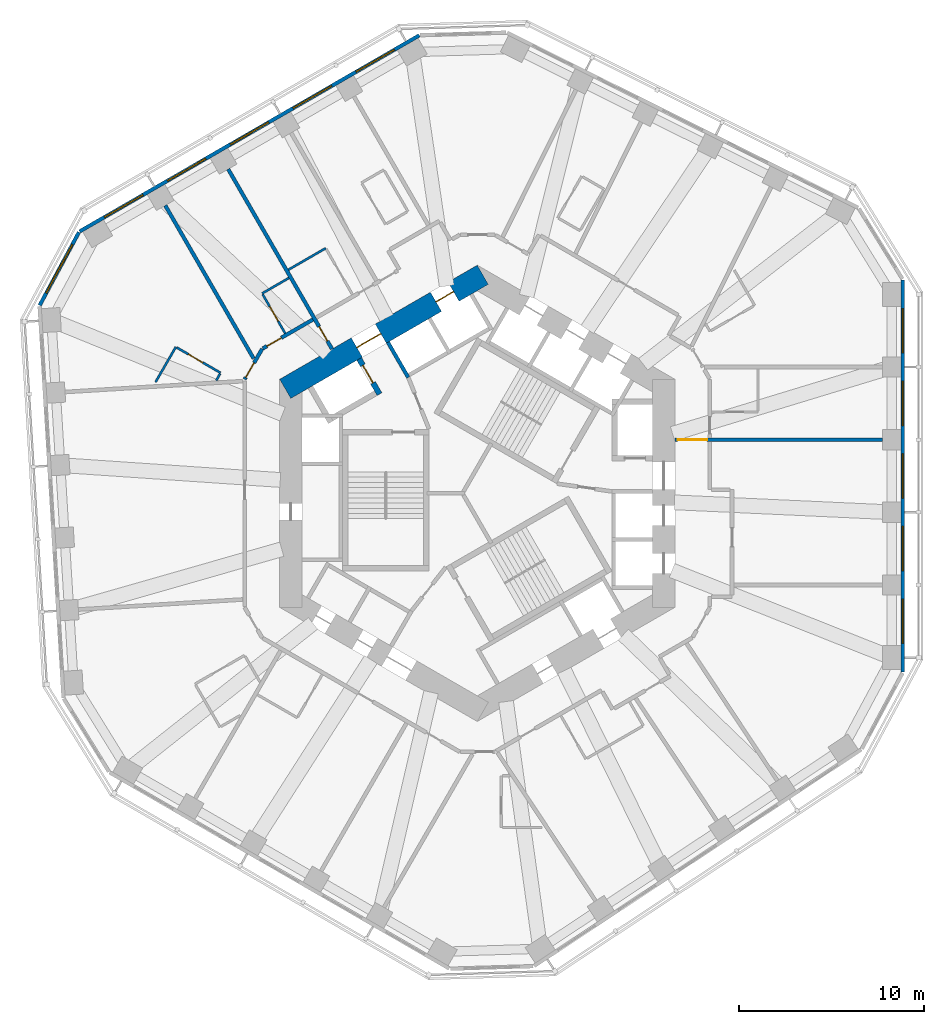
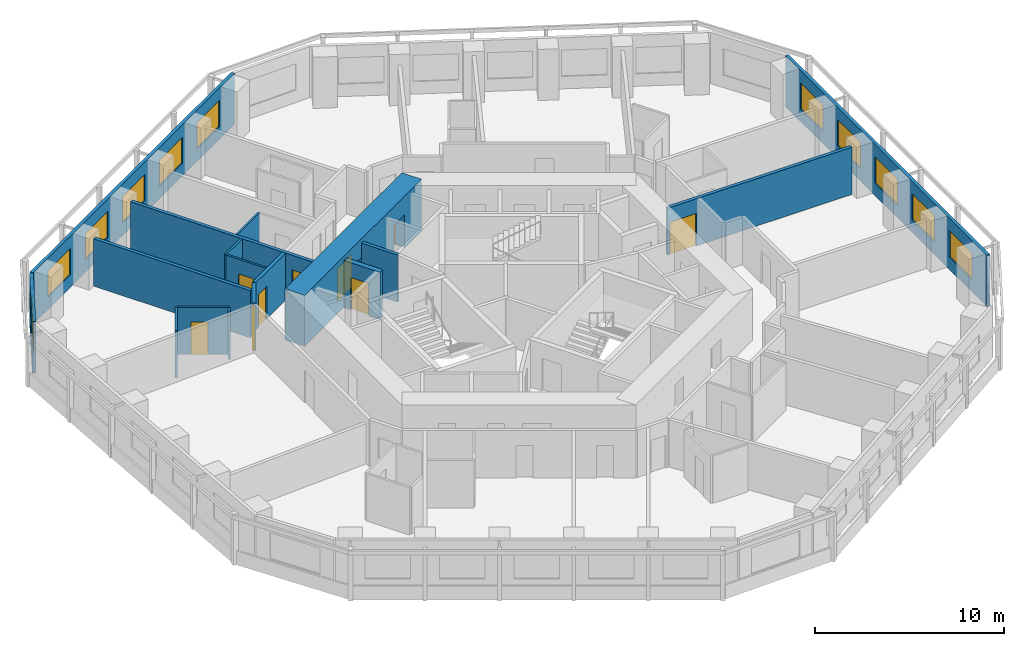
# One storey, part 7 of 12: 17 walls, 11 windows, 9 doors, 20 openings.
"""IFC4 building model written with IfcOpenShell, lengths in metres."""

from ifc_helpers import new_model, si_unit, direction, frame, frame_2d, origin, place, context, subcontext, project, spatial, rectangle, extrude, material, layer, layer_set, type_object, element, fill, save


model = new_model("IFC4")

# Units and contexts
model_context = context("Model", 3, precision=1e-05, world=origin(), true_north=direction((0.0, 1.0)))
body_context = subcontext(model_context, "Body", "Model", "MODEL_VIEW")
ifc_project = project(units=[si_unit("LENGTHUNIT", "METRE"), si_unit("AREAUNIT", "SQUARE_METRE"), si_unit("VOLUMEUNIT", "CUBIC_METRE"), si_unit("PLANEANGLEUNIT", "RADIAN"), si_unit("MASSUNIT", "GRAM", prefix="KILO")], contexts=[model_context])

# Site, building, storey
site_placement = place(None, origin())
site = spatial("IfcSite", under=ifc_project, at=site_placement, CompositionType="ELEMENT")
building_placement = place(site_placement, origin())
building = spatial("IfcBuilding", under=site, at=building_placement, Name="Vanh Sen Convention Tower", CompositionType="ELEMENT")
storey_placement = place(building_placement, frame((0.0, 0.0, 110.0)))
storey = spatial("IfcBuildingStorey", under=building, at=storey_placement, Name="L26", CompositionType="ELEMENT", Elevation=110.0)

# Wall
ifc_material_1 = material(Name="Moisture-resistant gypsum board on steel studs", Category="steel")
ifc_layer_1 = layer(ifc_material_1, 0.1201171875)
ifc_layer_set_1 = layer_set([ifc_layer_1], Name="Moisture-resistant gypsum board on steel studs")
wall_type_1 = type_object("IfcWallType", Name="Bathroom partition 120", PredefinedType="PARTITIONING", material=ifc_layer_set_1)
wall_1_placement = place(storey_placement, frame((-17.42578125, 6.019287109375, 0.0), z_axis=(0.0, 0.0, 1.0), x_axis=(0.50002983664, 0.866008176907, 0.0)))
element("IfcWall", 1, at=wall_1_placement, inside=storey, type_object=wall_type_1, Name="Bathroom partition 120", PredefinedType="PARTITIONING", context=body_context, shape_type="SweptSolid", body=[
    extrude(rectangle(XDim=2.199951171875, YDim=0.1201171875, at=frame_2d((1.10009765625, 0.0))), origin(), (0.0, 0.0, 1.0), 3.050048828125),
])

# Wall, opening, door
wall_2_placement = place(storey_placement, frame((-16.273681640625, 7.89453125, 0.0), z_axis=(0.0, 0.0, 1.0), x_axis=(0.865997131366, -0.500048966069, 0.0)))
wall_2 = element("IfcWall", 2, at=wall_2_placement, inside=storey, type_object=wall_type_1, Name="Bathroom partition 120", PredefinedType="PARTITIONING", context=body_context, shape_type="SweptSolid", body=[
    extrude(rectangle(XDim=2.739990234375, YDim=0.1201171875, at=frame_2d((1.3701171875, 0.0))), origin(), (0.0, 0.0, 1.0), 3.050048828125),
])
opening_1_placement = place(wall_2_placement, frame((0.719970703125, 0.0, 0.0)))
opening_1 = element("IfcOpeningElement", 3, at=opening_1_placement, cuts=wall_2, Name="Opening D25117", PredefinedType="OPENING", context=body_context, shape_type="SweptSolid", body=[
    extrude(rectangle(XDim=0.89990234375, YDim=2.10009765625, at=frame_2d((0.449951171875, 1.050048828125))), frame((0.0, 0.070068359375, 0.0), z_axis=(0.0, -1.0, 0.0), x_axis=(1.0, 0.0, 0.0)), (0.0, 0.0, 1.0), 0.14013671875),
])
ifc_material_2 = material(Name="Laminate door in steel frame", Category="steel")
door_type_1 = type_object("IfcDoorType", Name="En-suite door 900", OperationType="SINGLE_SWING_LEFT", PredefinedType="DOOR", material=ifc_material_2)
door_1_placement = place(opening_1_placement, origin())
door_1 = element("IfcDoor", 4, at=door_1_placement, inside=storey, type_object=door_type_1, Name="En-suite door D25117", OperationType="SINGLE_SWING_LEFT", OverallHeight=2.10009765625, OverallWidth=0.89990234375, PredefinedType="DOOR", context=body_context, shape_type="SweptSolid", body=[
    extrude(rectangle(XDim=0.89990234375, YDim=2.10009765625, at=frame_2d((0.449951171875, 1.050048828125))), frame((0.0, 0.02490234375, 0.0), z_axis=(0.0, -1.0, 0.0), x_axis=(1.0, 0.0, 0.0)), (0.0, 0.0, 1.0), 0.050048828125),
])
fill(opening_1, door_1)

# Walls
wall_3_placement = place(storey_placement, frame((-13.930908203125, 6.472412109375, 0.0), z_axis=(0.0, 0.0, 1.0), x_axis=(-0.499739399214, -0.866175809448, 0.0)))
element("IfcWall", 5, at=wall_3_placement, inside=storey, type_object=wall_type_1, Name="Bathroom partition 120", PredefinedType="PARTITIONING", context=body_context, shape_type="SweptSolid", body=[
    extrude(rectangle(XDim=0.415771484375, YDim=0.1201171875, at=frame_2d((0.2080078125, 0.0))), origin(), (0.0, 0.0, 1.0), 3.050048828125),
])
wall_4_placement = place(storey_placement, frame((-11.65087890625, 10.82470703125, 0.0), z_axis=(0.0, 0.0, 1.0), x_axis=(0.865998477143, 0.500046635412, 0.0)))
element("IfcWall", 6, at=wall_4_placement, inside=storey, type_object=wall_type_1, Name="Bathroom partition 120", PredefinedType="PARTITIONING", context=body_context, shape_type="SweptSolid", body=[
    extrude(rectangle(XDim=1.673095703125, YDim=0.1201171875, at=frame_2d((0.83642578125, 0.0))), origin(), (0.0, 0.0, 1.0), 3.050048828125),
])

# Wall, opening, door
wall_5_placement = place(storey_placement, frame((-10.40087890625, 8.65966796875, 0.0), z_axis=(0.0, 0.0, 1.0), x_axis=(-0.500077547548, 0.865980627057, 0.0)))
wall_5 = element("IfcWall", 7, at=wall_5_placement, inside=storey, type_object=wall_type_1, Name="Bathroom partition 120", PredefinedType="PARTITIONING", context=body_context, shape_type="SweptSolid", body=[
    extrude(rectangle(XDim=2.43994140625, YDim=0.1201171875, at=frame_2d((1.219970703125, 0.0))), origin(), (0.0, 0.0, 1.0), 3.050048828125),
])
opening_2_placement = place(wall_5_placement, frame((0.77001953125, 0.0, 0.0)))
opening_2 = element("IfcOpeningElement", 8, at=opening_2_placement, cuts=wall_5, Name="Opening D25115", PredefinedType="OPENING", context=body_context, shape_type="SweptSolid", body=[
    extrude(rectangle(XDim=0.89990234375, YDim=2.10009765625, at=frame_2d((0.449951171875, 1.050048828125))), frame((0.0, 0.070068359375, 0.0), z_axis=(0.0, -1.0, 0.0), x_axis=(1.0, 0.0, 0.0)), (0.0, 0.0, 1.0), 0.14013671875),
])
door_2_placement = place(opening_2_placement, origin())
door_2 = element("IfcDoor", 9, at=door_2_placement, inside=storey, type_object=door_type_1, Name="En-suite door D25115", OperationType="SINGLE_SWING_LEFT", OverallHeight=2.10009765625, OverallWidth=0.89990234375, PredefinedType="DOOR", context=body_context, shape_type="SweptSolid", body=[
    extrude(rectangle(XDim=0.89990234375, YDim=2.10009765625, at=frame_2d((0.449951171875, 1.050048828125))), frame((0.0, 0.02490234375, 0.0), z_axis=(0.0, -1.0, 0.0), x_axis=(1.0, 0.0, 0.0)), (0.0, 0.0, 1.0), 0.050048828125),
])
fill(opening_2, door_2)

# Wall
wall_6_placement = place(storey_placement, frame((-10.228759765625, 12.107666015625, 0.0), z_axis=(0.0, 0.0, 1.0), x_axis=(0.866053246676, 0.499951771596, 0.0)))
element("IfcWall", 10, at=wall_6_placement, inside=storey, type_object=wall_type_1, Name="Bathroom partition 120", PredefinedType="PARTITIONING", context=body_context, shape_type="SweptSolid", body=[
    extrude(rectangle(XDim=2.334716796875, YDim=0.1201171875, at=frame_2d((1.16748046875, 0.0))), origin(), (0.0, 0.0, 1.0), 3.050048828125),
])

# Wall, openings, doors
ifc_material_3 = material(Name="Concrete C80/95", Category="concrete")
ifc_layer_2 = layer(ifc_material_3, 1.199951171875)
ifc_layer_set_2 = layer_set([ifc_layer_2], Name="Concrete C80/95")
wall_type_2 = type_object("IfcWallType", Name="Core outer wall 1200 C80/95", PredefinedType="SHEAR", material=ifc_layer_set_2)
wall_7_placement = place(storey_placement, frame((0.300048828125, 11.835693359375, 0.0), z_axis=(0.0, 0.0, 1.0), x_axis=(-0.866021384402, -0.500006961711, 0.0)))
wall_7 = element("IfcWall", 11, at=wall_7_placement, inside=storey, type_object=wall_type_2, Name="Core wall face NW L26", PredefinedType="SHEAR", context=body_context, shape_type="SweptSolid", body=[
    extrude(rectangle(XDim=12.355224609375, YDim=1.199951171875, at=frame_2d((6.177734375, 0.0))), origin(), (0.0, 0.0, 1.0), 3.300048828125),
])
opening_3_placement = place(wall_7_placement, frame((6.377685546875, 0.0, 0.0)))
opening_3 = element("IfcOpeningElement", 12, at=opening_3_placement, cuts=wall_7, Name="Opening D25002", PredefinedType="OPENING", context=body_context, shape_type="SweptSolid", body=[
    extrude(rectangle(XDim=1.5, YDim=2.10009765625, at=frame_2d((0.75, 1.050048828125))), frame((0.0, 0.60986328125, 0.0), z_axis=(0.0, -1.0, 0.0), x_axis=(1.0, 0.0, 0.0)), (0.0, 0.0, 1.0), 1.219970703125),
])
opening_4_placement = place(wall_7_placement, frame((1.82763671875, 0.0, 0.0)))
opening_4 = element("IfcOpeningElement", 13, at=opening_4_placement, cuts=wall_7, Name="Opening LD-LR6", PredefinedType="OPENING", context=body_context, shape_type="SweptSolid", body=[
    extrude(rectangle(XDim=1.10009765625, YDim=2.10009765625, at=frame_2d((0.550048828125, 1.050048828125))), frame((0.0, 0.60986328125, 0.0), z_axis=(0.0, -1.0, 0.0), x_axis=(1.0, 0.0, 0.0)), (0.0, 0.0, 1.0), 1.219970703125),
])
ifc_material_4 = material(Name="Stainless steel", Category="steel")
door_type_2 = type_object("IfcDoorType", Name="Lift landing door 1100", OperationType="DOUBLE_DOOR_SLIDING", PredefinedType="DOOR", material=ifc_material_4)
door_3_placement = place(opening_4_placement, origin())
door_3 = element("IfcDoor", 14, at=door_3_placement, inside=storey, type_object=door_type_2, Name="Lift LR6 landing door LD-LR6", OperationType="DOUBLE_DOOR_SLIDING", OverallHeight=2.10009765625, OverallWidth=1.10009765625, PredefinedType="DOOR", context=body_context, shape_type="SweptSolid", body=[
    extrude(rectangle(XDim=1.10009765625, YDim=2.10009765625, at=frame_2d((0.550048828125, 1.050048828125))), frame((0.0, 0.02490234375, 0.0), z_axis=(0.0, -1.0, 0.0), x_axis=(1.0, 0.0, 0.0)), (0.0, 0.0, 1.0), 0.050048828125),
])
fill(opening_4, door_3)
ifc_material_5 = material(Name="Steel S355", Category="steel")
door_type_3 = type_object("IfcDoorType", Name="Stair lobby door 1500", OperationType="DOUBLE_DOOR_SINGLE_SWING", PredefinedType="DOOR", material=ifc_material_5)
door_4_placement = place(opening_3_placement, origin())
door_4 = element("IfcDoor", 15, at=door_4_placement, inside=storey, type_object=door_type_3, Name="Stair lobby door D25002", OperationType="DOUBLE_DOOR_SINGLE_SWING", OverallHeight=2.10009765625, OverallWidth=1.5, PredefinedType="DOOR", context=body_context, shape_type="SweptSolid", body=[
    extrude(rectangle(XDim=1.5, YDim=2.10009765625, at=frame_2d((0.75, 1.050048828125))), frame((0.0, 0.02490234375, 0.0), z_axis=(0.0, -1.0, 0.0), x_axis=(1.0, 0.0, 0.0)), (0.0, 0.0, 1.0), 0.050048828125),
])
fill(opening_3, door_4)

# Wall, opening, door
ifc_material_6 = material(Name="Gypsum board on steel studs with mineral wool", Category="steel")
ifc_layer_3 = layer(ifc_material_6, 0.199951171875)
ifc_layer_set_3 = layer_set([ifc_layer_3], Name="Gypsum board on steel studs with mineral wool")
wall_type_3 = type_object("IfcWallType", Name="Corridor partition wall 200", PredefinedType="PARTITIONING", material=ifc_layer_set_3)
wall_8_placement = place(storey_placement, frame((-11.64990234375, 7.822998046875, 0.0), z_axis=(0.0, 0.0, 1.0), x_axis=(-0.500063520245, -0.865988727248, 0.0)))
wall_8 = element("IfcWall", 16, at=wall_8_placement, inside=storey, type_object=wall_type_3, Name="Corridor partition wall 200", PredefinedType="PARTITIONING", context=body_context, shape_type="SweptSolid", body=[
    extrude(rectangle(XDim=1.900146484375, YDim=0.199951171875, at=frame_2d((0.9501953125, 0.0))), origin(), (0.0, 0.0, 1.0), 3.050048828125),
])
opening_5_placement = place(wall_8_placement, frame((0.8818359375, 0.0, 0.0)))
opening_5 = element("IfcOpeningElement", 17, at=opening_5_placement, cuts=wall_8, Name="Opening D25116", PredefinedType="OPENING", context=body_context, shape_type="SweptSolid", body=[
    extrude(rectangle(XDim=0.89990234375, YDim=2.10009765625, at=frame_2d((0.449951171875, 1.050048828125))), frame((0.0, 0.10986328125, 0.0), z_axis=(0.0, -1.0, 0.0), x_axis=(1.0, 0.0, 0.0)), (0.0, 0.0, 1.0), 0.219970703125),
])
ifc_material_7 = material(Name="Timber fire door in steel frame", Category="steel")
door_type_4 = type_object("IfcDoorType", Name="Guest room door 900", OperationType="SINGLE_SWING_LEFT", PredefinedType="DOOR", material=ifc_material_7)
door_5_placement = place(opening_5_placement, origin())
door_5 = element("IfcDoor", 18, at=door_5_placement, inside=storey, type_object=door_type_4, Name="Hotel guest room door D25116", OperationType="SINGLE_SWING_LEFT", OverallHeight=2.10009765625, OverallWidth=0.89990234375, PredefinedType="DOOR", context=body_context, shape_type="SweptSolid", body=[
    extrude(rectangle(XDim=0.89990234375, YDim=2.10009765625, at=frame_2d((0.449951171875, 1.050048828125))), frame((0.0, 0.02490234375, 0.0), z_axis=(0.0, -1.0, 0.0), x_axis=(1.0, 0.0, 0.0)), (0.0, 0.0, 1.0), 0.050048828125),
])
fill(opening_5, door_5)

wall_9_placement = place(storey_placement, frame((-8.902099609375, 9.40966796875, 0.0), z_axis=(0.0, 0.0, 1.0), x_axis=(-0.866014299198, -0.500019233215, 0.0)))
wall_9 = element("IfcWall", 19, at=wall_9_placement, inside=storey, type_object=wall_type_3, Name="Corridor partition wall 200", PredefinedType="PARTITIONING", context=body_context, shape_type="SweptSolid", body=[
    extrude(rectangle(XDim=3.13330078125, YDim=0.199951171875, at=frame_2d((1.566650390625, 0.0))), origin(), (0.0, 0.0, 1.0), 3.050048828125),
])
opening_6_placement = place(wall_9_placement, frame((1.97802734375, 0.0, 0.0)))
opening_6 = element("IfcOpeningElement", 20, at=opening_6_placement, cuts=wall_9, Name="Opening D25114", PredefinedType="OPENING", context=body_context, shape_type="SweptSolid", body=[
    extrude(rectangle(XDim=0.89990234375, YDim=2.10009765625, at=frame_2d((0.449951171875, 1.050048828125))), frame((0.0, 0.10986328125, 0.0), z_axis=(0.0, -1.0, 0.0), x_axis=(1.0, 0.0, 0.0)), (0.0, 0.0, 1.0), 0.219970703125),
])
door_6_placement = place(opening_6_placement, origin())
door_6 = element("IfcDoor", 21, at=door_6_placement, inside=storey, type_object=door_type_4, Name="Hotel guest room door D25114", OperationType="SINGLE_SWING_LEFT", OverallHeight=2.10009765625, OverallWidth=0.89990234375, PredefinedType="DOOR", context=body_context, shape_type="SweptSolid", body=[
    extrude(rectangle(XDim=0.89990234375, YDim=2.10009765625, at=frame_2d((0.449951171875, 1.050048828125))), frame((0.0, 0.02490234375, 0.0), z_axis=(0.0, -1.0, 0.0), x_axis=(1.0, 0.0, 0.0)), (0.0, 0.0, 1.0), 0.050048828125),
])
fill(opening_6, door_6)

# Wall, openings, windows
ifc_material_8 = material(Name="Insulated lightweight infill wall")
ifc_layer_4 = layer(ifc_material_8, 0.199951171875)
ifc_layer_set_4 = layer_set([ifc_layer_4], Name="Insulated lightweight infill wall")
wall_type_4 = type_object("IfcWallType", Name="External wall 200", PredefinedType="STANDARD", material=ifc_layer_set_4)
wall_10_placement = place(storey_placement, frame((23.050048828125, -9.6865234375, 0.0), z_axis=(0.0, 0.0, 1.0), x_axis=(0.0, 1.0, 0.0)))
wall_10 = element("IfcWall", 22, at=wall_10_placement, inside=storey, type_object=wall_type_4, Name="External wall E L26", PredefinedType="STANDARD", context=body_context, shape_type="SweptSolid", body=[
    extrude(rectangle(XDim=21.24609375, YDim=0.199951171875, at=frame_2d((10.623046875, 0.0))), origin(), (0.0, 0.0, 1.0), 3.300048828125),
])
opening_7_placement = place(wall_10_placement, frame((1.5546875, 0.0, 0.800048828125)))
opening_7 = element("IfcOpeningElement", 23, at=opening_7_placement, cuts=wall_10, Name="Opening WH1-E1", PredefinedType="OPENING", context=body_context, shape_type="SweptSolid", body=[
    extrude(rectangle(XDim=2.39990234375, YDim=1.699951171875, at=frame_2d((1.199951171875, 0.85009765625))), frame((0.0, 0.10986328125, 0.0), z_axis=(0.0, -1.0, 0.0), x_axis=(1.0, 0.0, 0.0)), (0.0, 0.0, 1.0), 0.219970703125),
])
opening_8_placement = place(wall_10_placement, frame((5.4892578125, 0.0, 0.800048828125)))
opening_8 = element("IfcOpeningElement", 24, at=opening_8_placement, cuts=wall_10, Name="Opening WH1-E2", PredefinedType="OPENING", context=body_context, shape_type="SweptSolid", body=[
    extrude(rectangle(XDim=2.39990234375, YDim=1.699951171875, at=frame_2d((1.199951171875, 0.85009765625))), frame((0.0, 0.10986328125, 0.0), z_axis=(0.0, -1.0, 0.0), x_axis=(1.0, 0.0, 0.0)), (0.0, 0.0, 1.0), 0.219970703125),
])
opening_9_placement = place(wall_10_placement, frame((9.423828125, 0.0, 0.800048828125)))
opening_9 = element("IfcOpeningElement", 25, at=opening_9_placement, cuts=wall_10, Name="Opening WH1-E3", PredefinedType="OPENING", context=body_context, shape_type="SweptSolid", body=[
    extrude(rectangle(XDim=2.39990234375, YDim=1.699951171875, at=frame_2d((1.199951171875, 0.85009765625))), frame((0.0, 0.10986328125, 0.0), z_axis=(0.0, -1.0, 0.0), x_axis=(1.0, 0.0, 0.0)), (0.0, 0.0, 1.0), 0.219970703125),
])
opening_10_placement = place(wall_10_placement, frame((13.3583984375, 0.0, 0.800048828125)))
opening_10 = element("IfcOpeningElement", 26, at=opening_10_placement, cuts=wall_10, Name="Opening WH1-E4", PredefinedType="OPENING", context=body_context, shape_type="SweptSolid", body=[
    extrude(rectangle(XDim=2.39990234375, YDim=1.699951171875, at=frame_2d((1.199951171875, 0.85009765625))), frame((0.0, 0.10986328125, 0.0), z_axis=(0.0, -1.0, 0.0), x_axis=(1.0, 0.0, 0.0)), (0.0, 0.0, 1.0), 0.219970703125),
])
opening_11_placement = place(wall_10_placement, frame((17.29296875, 0.0, 0.800048828125)))
opening_11 = element("IfcOpeningElement", 27, at=opening_11_placement, cuts=wall_10, Name="Opening WH1-E5", PredefinedType="OPENING", context=body_context, shape_type="SweptSolid", body=[
    extrude(rectangle(XDim=2.39990234375, YDim=1.699951171875, at=frame_2d((1.199951171875, 0.85009765625))), frame((0.0, 0.10986328125, 0.0), z_axis=(0.0, -1.0, 0.0), x_axis=(1.0, 0.0, 0.0)), (0.0, 0.0, 1.0), 0.219970703125),
])
ifc_material_9 = material(Name="Aluminium frame with clear low-emissivity glass", Category="aluminium")
window_type_1 = type_object("IfcWindowType", Name="Hotel window 2400 x 1700", PartitioningType="SINGLE_PANEL", PredefinedType="WINDOW", material=ifc_material_9)
window_1_placement = place(opening_7_placement, origin())
window_1 = element("IfcWindow", 28, at=window_1_placement, inside=storey, type_object=window_type_1, Name="Window WH1-E1", OverallHeight=1.699951171875, OverallWidth=2.39990234375, PartitioningType="SINGLE_PANEL", PredefinedType="WINDOW", context=body_context, shape_type="SweptSolid", body=[
    extrude(rectangle(XDim=2.39990234375, YDim=1.699951171875, at=frame_2d((1.199951171875, 0.85009765625))), frame((0.0, 0.030029296875, 0.0), z_axis=(0.0, -1.0, 0.0), x_axis=(1.0, 0.0, 0.0)), (0.0, 0.0, 1.0), 0.06005859375),
])
fill(opening_7, window_1)
window_2_placement = place(opening_8_placement, origin())
window_2 = element("IfcWindow", 29, at=window_2_placement, inside=storey, type_object=window_type_1, Name="Window WH1-E2", OverallHeight=1.699951171875, OverallWidth=2.39990234375, PartitioningType="SINGLE_PANEL", PredefinedType="WINDOW", context=body_context, shape_type="SweptSolid", body=[
    extrude(rectangle(XDim=2.39990234375, YDim=1.699951171875, at=frame_2d((1.199951171875, 0.85009765625))), frame((0.0, 0.030029296875, 0.0), z_axis=(0.0, -1.0, 0.0), x_axis=(1.0, 0.0, 0.0)), (0.0, 0.0, 1.0), 0.06005859375),
])
fill(opening_8, window_2)
window_3_placement = place(opening_9_placement, origin())
window_3 = element("IfcWindow", 30, at=window_3_placement, inside=storey, type_object=window_type_1, Name="Window WH1-E3", OverallHeight=1.699951171875, OverallWidth=2.39990234375, PartitioningType="SINGLE_PANEL", PredefinedType="WINDOW", context=body_context, shape_type="SweptSolid", body=[
    extrude(rectangle(XDim=2.39990234375, YDim=1.699951171875, at=frame_2d((1.199951171875, 0.85009765625))), frame((0.0, 0.030029296875, 0.0), z_axis=(0.0, -1.0, 0.0), x_axis=(1.0, 0.0, 0.0)), (0.0, 0.0, 1.0), 0.06005859375),
])
fill(opening_9, window_3)
window_4_placement = place(opening_10_placement, origin())
window_4 = element("IfcWindow", 31, at=window_4_placement, inside=storey, type_object=window_type_1, Name="Window WH1-E4", OverallHeight=1.699951171875, OverallWidth=2.39990234375, PartitioningType="SINGLE_PANEL", PredefinedType="WINDOW", context=body_context, shape_type="SweptSolid", body=[
    extrude(rectangle(XDim=2.39990234375, YDim=1.699951171875, at=frame_2d((1.199951171875, 0.85009765625))), frame((0.0, 0.030029296875, 0.0), z_axis=(0.0, -1.0, 0.0), x_axis=(1.0, 0.0, 0.0)), (0.0, 0.0, 1.0), 0.06005859375),
])
fill(opening_10, window_4)
window_5_placement = place(opening_11_placement, origin())
window_5 = element("IfcWindow", 32, at=window_5_placement, inside=storey, type_object=window_type_1, Name="Window WH1-E5", OverallHeight=1.699951171875, OverallWidth=2.39990234375, PartitioningType="SINGLE_PANEL", PredefinedType="WINDOW", context=body_context, shape_type="SweptSolid", body=[
    extrude(rectangle(XDim=2.39990234375, YDim=1.699951171875, at=frame_2d((1.199951171875, 0.85009765625))), frame((0.0, 0.030029296875, 0.0), z_axis=(0.0, -1.0, 0.0), x_axis=(1.0, 0.0, 0.0)), (0.0, 0.0, 1.0), 0.06005859375),
])
fill(opening_11, window_5)

wall_11_placement = place(storey_placement, frame((-3.135986328125, 24.80517578125, 0.0), z_axis=(0.0, 0.0, 1.0), x_axis=(-0.866028291626, -0.499994998079, 0.0)))
wall_11 = element("IfcWall", 33, at=wall_11_placement, inside=storey, type_object=wall_type_4, Name="External wall NW L26", PredefinedType="STANDARD", context=body_context, shape_type="SweptSolid", body=[
    extrude(rectangle(XDim=21.246337890625, YDim=0.199951171875, at=frame_2d((10.623046875, 0.0))), origin(), (0.0, 0.0, 1.0), 3.300048828125),
])
opening_12_placement = place(wall_11_placement, frame((1.5546875, 0.0, 0.800048828125)))
opening_12 = element("IfcOpeningElement", 34, at=opening_12_placement, cuts=wall_11, Name="Opening WH1-NW1", PredefinedType="OPENING", context=body_context, shape_type="SweptSolid", body=[
    extrude(rectangle(XDim=2.39990234375, YDim=1.699951171875, at=frame_2d((1.199951171875, 0.85009765625))), frame((0.0, 0.10986328125, 0.0), z_axis=(0.0, -1.0, 0.0), x_axis=(1.0, 0.0, 0.0)), (0.0, 0.0, 1.0), 0.219970703125),
])
opening_13_placement = place(wall_11_placement, frame((5.4892578125, 0.0, 0.800048828125)))
opening_13 = element("IfcOpeningElement", 35, at=opening_13_placement, cuts=wall_11, Name="Opening WH1-NW2", PredefinedType="OPENING", context=body_context, shape_type="SweptSolid", body=[
    extrude(rectangle(XDim=2.39990234375, YDim=1.699951171875, at=frame_2d((1.199951171875, 0.85009765625))), frame((0.0, 0.10986328125, 0.0), z_axis=(0.0, -1.0, 0.0), x_axis=(1.0, 0.0, 0.0)), (0.0, 0.0, 1.0), 0.219970703125),
])
opening_14_placement = place(wall_11_placement, frame((9.423828125, 0.0, 0.800048828125)))
opening_14 = element("IfcOpeningElement", 36, at=opening_14_placement, cuts=wall_11, Name="Opening WH1-NW3", PredefinedType="OPENING", context=body_context, shape_type="SweptSolid", body=[
    extrude(rectangle(XDim=2.39990234375, YDim=1.699951171875, at=frame_2d((1.199951171875, 0.85009765625))), frame((0.0, 0.10986328125, 0.0), z_axis=(0.0, -1.0, 0.0), x_axis=(1.0, 0.0, 0.0)), (0.0, 0.0, 1.0), 0.219970703125),
])
opening_15_placement = place(wall_11_placement, frame((13.3583984375, 0.0, 0.800048828125)))
opening_15 = element("IfcOpeningElement", 37, at=opening_15_placement, cuts=wall_11, Name="Opening WH1-NW4", PredefinedType="OPENING", context=body_context, shape_type="SweptSolid", body=[
    extrude(rectangle(XDim=2.39990234375, YDim=1.699951171875, at=frame_2d((1.199951171875, 0.85009765625))), frame((0.0, 0.10986328125, 0.0), z_axis=(0.0, -1.0, 0.0), x_axis=(1.0, 0.0, 0.0)), (0.0, 0.0, 1.0), 0.219970703125),
])
opening_16_placement = place(wall_11_placement, frame((17.293212890625, 0.0, 0.800048828125)))
opening_16 = element("IfcOpeningElement", 38, at=opening_16_placement, cuts=wall_11, Name="Opening WH1-NW5", PredefinedType="OPENING", context=body_context, shape_type="SweptSolid", body=[
    extrude(rectangle(XDim=2.39990234375, YDim=1.699951171875, at=frame_2d((1.199951171875, 0.85009765625))), frame((0.0, 0.10986328125, 0.0), z_axis=(0.0, -1.0, 0.0), x_axis=(1.0, 0.0, 0.0)), (0.0, 0.0, 1.0), 0.219970703125),
])
window_6_placement = place(opening_12_placement, origin())
window_6 = element("IfcWindow", 39, at=window_6_placement, inside=storey, type_object=window_type_1, Name="Window WH1-NW1", OverallHeight=1.699951171875, OverallWidth=2.39990234375, PartitioningType="SINGLE_PANEL", PredefinedType="WINDOW", context=body_context, shape_type="SweptSolid", body=[
    extrude(rectangle(XDim=2.39990234375, YDim=1.699951171875, at=frame_2d((1.199951171875, 0.85009765625))), frame((0.0, 0.030029296875, 0.0), z_axis=(0.0, -1.0, 0.0), x_axis=(1.0, 0.0, 0.0)), (0.0, 0.0, 1.0), 0.06005859375),
])
fill(opening_12, window_6)
window_7_placement = place(opening_13_placement, origin())
window_7 = element("IfcWindow", 40, at=window_7_placement, inside=storey, type_object=window_type_1, Name="Window WH1-NW2", OverallHeight=1.699951171875, OverallWidth=2.39990234375, PartitioningType="SINGLE_PANEL", PredefinedType="WINDOW", context=body_context, shape_type="SweptSolid", body=[
    extrude(rectangle(XDim=2.39990234375, YDim=1.699951171875, at=frame_2d((1.199951171875, 0.85009765625))), frame((0.0, 0.030029296875, 0.0), z_axis=(0.0, -1.0, 0.0), x_axis=(1.0, 0.0, 0.0)), (0.0, 0.0, 1.0), 0.06005859375),
])
fill(opening_13, window_7)
window_8_placement = place(opening_14_placement, origin())
window_8 = element("IfcWindow", 41, at=window_8_placement, inside=storey, type_object=window_type_1, Name="Window WH1-NW3", OverallHeight=1.699951171875, OverallWidth=2.39990234375, PartitioningType="SINGLE_PANEL", PredefinedType="WINDOW", context=body_context, shape_type="SweptSolid", body=[
    extrude(rectangle(XDim=2.39990234375, YDim=1.699951171875, at=frame_2d((1.199951171875, 0.85009765625))), frame((0.0, 0.030029296875, 0.0), z_axis=(0.0, -1.0, 0.0), x_axis=(1.0, 0.0, 0.0)), (0.0, 0.0, 1.0), 0.06005859375),
])
fill(opening_14, window_8)
window_9_placement = place(opening_15_placement, origin())
window_9 = element("IfcWindow", 42, at=window_9_placement, inside=storey, type_object=window_type_1, Name="Window WH1-NW4", OverallHeight=1.699951171875, OverallWidth=2.39990234375, PartitioningType="SINGLE_PANEL", PredefinedType="WINDOW", context=body_context, shape_type="SweptSolid", body=[
    extrude(rectangle(XDim=2.39990234375, YDim=1.699951171875, at=frame_2d((1.199951171875, 0.85009765625))), frame((0.0, 0.030029296875, 0.0), z_axis=(0.0, -1.0, 0.0), x_axis=(1.0, 0.0, 0.0)), (0.0, 0.0, 1.0), 0.06005859375),
])
fill(opening_15, window_9)
window_10_placement = place(opening_16_placement, origin())
window_10 = element("IfcWindow", 43, at=window_10_placement, inside=storey, type_object=window_type_1, Name="Window WH1-NW5", OverallHeight=1.699951171875, OverallWidth=2.39990234375, PartitioningType="SINGLE_PANEL", PredefinedType="WINDOW", context=body_context, shape_type="SweptSolid", body=[
    extrude(rectangle(XDim=2.39990234375, YDim=1.699951171875, at=frame_2d((1.199951171875, 0.85009765625))), frame((0.0, 0.030029296875, 0.0), z_axis=(0.0, -1.0, 0.0), x_axis=(1.0, 0.0, 0.0)), (0.0, 0.0, 1.0), 0.06005859375),
])
fill(opening_16, window_10)

# Wall, opening, window
wall_12_placement = place(storey_placement, frame((-21.573974609375, 14.142822265625, 0.0), z_axis=(0.0, 0.0, 1.0), x_axis=(-0.473292949472, -0.880905093628, 0.0)))
wall_12 = element("IfcWall", 44, at=wall_12_placement, inside=storey, type_object=wall_type_4, Name="External wall CH3 L26", PredefinedType="STANDARD", context=body_context, shape_type="SweptSolid", body=[
    extrude(rectangle(XDim=4.493896484375, YDim=0.199951171875, at=frame_2d((2.2470703125, 0.0))), origin(), (0.0, 0.0, 1.0), 3.300048828125),
])
opening_17_placement = place(wall_12_placement, frame((0.746826171875, 0.0, 0.800048828125)))
opening_17 = element("IfcOpeningElement", 45, at=opening_17_placement, cuts=wall_12, Name="Opening WH2-CH31", PredefinedType="OPENING", context=body_context, shape_type="SweptSolid", body=[
    extrude(rectangle(XDim=3.0, YDim=1.699951171875, at=frame_2d((1.5, 0.85009765625))), frame((0.0, 0.10986328125, 0.0), z_axis=(0.0, -1.0, 0.0), x_axis=(1.0, 0.0, 0.0)), (0.0, 0.0, 1.0), 0.219970703125),
])
window_type_2 = type_object("IfcWindowType", Name="Hotel window 3000 x 1700", PartitioningType="SINGLE_PANEL", PredefinedType="WINDOW", material=ifc_material_9)
window_11_placement = place(opening_17_placement, origin())
window_11 = element("IfcWindow", 46, at=window_11_placement, inside=storey, type_object=window_type_2, Name="Window WH2-CH31", OverallHeight=1.699951171875, OverallWidth=3.0, PartitioningType="SINGLE_PANEL", PredefinedType="WINDOW", context=body_context, shape_type="SweptSolid", body=[
    extrude(rectangle(XDim=3.0, YDim=1.699951171875, at=frame_2d((1.5, 0.85009765625))), frame((0.0, 0.030029296875, 0.0), z_axis=(0.0, -1.0, 0.0), x_axis=(1.0, 0.0, 0.0)), (0.0, 0.0, 1.0), 0.06005859375),
])
fill(opening_17, window_11)

# Wall, opening, door
ifc_material_10 = material(Name="Concrete C60/75", Category="concrete")
ifc_layer_5 = layer(ifc_material_10, 0.300048828125)
ifc_layer_set_5 = layer_set([ifc_layer_5], Name="Concrete C60/75")
wall_type_5 = type_object("IfcWallType", Name="Fire-fighting lift shaft wall 300", PredefinedType="SHEAR", material=ifc_layer_set_5)
wall_13_placement = place(storey_placement, frame((-5.29541015625, 5.3720703125, 0.0), z_axis=(0.0, 0.0, 1.0), x_axis=(-0.500077893725, 0.86598042715, 0.0)))
wall_13 = element("IfcWall", 47, at=wall_13_placement, inside=storey, type_object=wall_type_5, Name="Fire-fighting lift shaft wall L26", PredefinedType="SHEAR", context=body_context, shape_type="SweptSolid", body=[
    extrude(rectangle(XDim=2.199951171875, YDim=0.300048828125, at=frame_2d((1.10009765625, 0.0))), origin(), (0.0, 0.0, 1.0), 3.050048828125),
])
opening_18_placement = place(wall_13_placement, frame((0.699951171875, 0.0, 0.0)))
opening_18 = element("IfcOpeningElement", 48, at=opening_18_placement, cuts=wall_13, Name="Opening LD-FF2", PredefinedType="OPENING", context=body_context, shape_type="SweptSolid", body=[
    extrude(rectangle(XDim=1.10009765625, YDim=2.10009765625, at=frame_2d((0.550048828125, 1.050048828125))), frame((0.0, 0.159912109375, 0.0), z_axis=(0.0, -1.0, 0.0), x_axis=(1.0, 0.0, 0.0)), (0.0, 0.0, 1.0), 0.320068359375),
])
door_type_5 = type_object("IfcDoorType", Name="Fire-fighting lift landing door 1100", OperationType="DOUBLE_DOOR_SLIDING", PredefinedType="DOOR", material=ifc_material_4)
door_7_placement = place(opening_18_placement, origin())
door_7 = element("IfcDoor", 49, at=door_7_placement, inside=storey, type_object=door_type_5, Name="Lift FF2 landing door LD-FF2", OperationType="DOUBLE_DOOR_SLIDING", OverallHeight=2.10009765625, OverallWidth=1.10009765625, PredefinedType="DOOR", context=body_context, shape_type="SweptSolid", body=[
    extrude(rectangle(XDim=1.10009765625, YDim=2.10009765625, at=frame_2d((0.550048828125, 1.050048828125))), frame((0.0, 0.02490234375, 0.0), z_axis=(0.0, -1.0, 0.0), x_axis=(1.0, 0.0, 0.0)), (0.0, 0.0, 1.0), 0.050048828125),
])
fill(opening_18, door_7)

# Walls
ifc_layer_6 = layer(ifc_material_6, 0.199951171875)
ifc_layer_set_6 = layer_set([ifc_layer_6], Name="Gypsum board on steel studs with mineral wool")
wall_type_6 = type_object("IfcWallType", Name="Hotel party wall 200", PredefinedType="PARTITIONING", material=ifc_layer_set_6)
wall_14_placement = place(storey_placement, frame((-16.89794921875, 15.589599609375, 0.0), z_axis=(0.0, 0.0, 1.0), x_axis=(0.500023458698, -0.866011859475, 0.0)))
element("IfcWall", 50, at=wall_14_placement, inside=storey, type_object=wall_type_6, Name="Hotel party wall 200", PredefinedType="PARTITIONING", context=body_context, shape_type="SweptSolid", body=[
    extrude(rectangle(XDim=9.57177734375, YDim=0.199951171875, at=frame_2d((4.785888671875, 0.0))), origin(), (0.0, 0.0, 1.0), 3.050048828125),
])
ifc_material_11 = material(Name="Concrete C40/50", Category="concrete")
ifc_layer_7 = layer(ifc_material_11, 0.199951171875)
ifc_layer_set_7 = layer_set([ifc_layer_7], Name="Concrete C40/50")
wall_type_7 = type_object("IfcWallType", Name="Lift shaft wall 200", PredefinedType="PARTITIONING", material=ifc_layer_set_7)
wall_15_placement = place(storey_placement, frame((-3.736572265625, 6.27197265625, 0.0), z_axis=(0.0, 0.0, 1.0), x_axis=(-0.50002983664, 0.866008176907, 0.0)))
element("IfcWall", 51, at=wall_15_placement, inside=storey, type_object=wall_type_7, Name="Lift shaft wall L26", PredefinedType="PARTITIONING", context=body_context, shape_type="SweptSolid", body=[
    extrude(rectangle(XDim=2.199951171875, YDim=0.199951171875, at=frame_2d((1.10009765625, 0.0))), origin(), (0.0, 0.0, 1.0), 3.050048828125),
])

# Wall, opening, door
ifc_material_12 = material(Name="Concrete C20/25", Category="concrete")
ifc_layer_8 = layer(ifc_material_12, 0.199951171875)
ifc_layer_set_8 = layer_set([ifc_layer_8], Name="Concrete C20/25")
wall_type_8 = type_object("IfcWallType", Name="Sub-compartment wall 200", PredefinedType="PARTITIONING", material=ifc_layer_set_8)
wall_16_placement = place(storey_placement, frame((-7.865478515625, 7.814208984375, 0.0), z_axis=(0.0, 0.0, 1.0), x_axis=(-0.500004234368, 0.866022959057, 0.0)))
wall_16 = element("IfcWall", 52, at=wall_16_placement, inside=storey, type_object=wall_type_8, Name="Sub-compartment wall 200", PredefinedType="PARTITIONING", context=body_context, shape_type="SweptSolid", body=[
    extrude(rectangle(XDim=11.25, YDim=0.199951171875, at=frame_2d((5.625, 0.0))), origin(), (0.0, 0.0, 1.0), 3.050048828125),
])
opening_19_placement = place(wall_16_placement, frame((0.5, 0.0, 0.0)))
opening_19 = element("IfcOpeningElement", 53, at=opening_19_placement, cuts=wall_16, Name="Opening D25130", PredefinedType="OPENING", context=body_context, shape_type="SweptSolid", body=[
    extrude(rectangle(XDim=0.89990234375, YDim=2.10009765625, at=frame_2d((0.449951171875, 1.050048828125))), frame((0.0, 0.10986328125, 0.0), z_axis=(0.0, -1.0, 0.0), x_axis=(1.0, 0.0, 0.0)), (0.0, 0.0, 1.0), 0.219970703125),
])
ifc_material_13 = material(Name="Steel S355", Category="steel")
door_type_6 = type_object("IfcDoorType", Name="Corridor fire door 900", OperationType="SINGLE_SWING_LEFT", PredefinedType="DOOR", material=ifc_material_13)
door_8_placement = place(opening_19_placement, origin())
door_8 = element("IfcDoor", 54, at=door_8_placement, inside=storey, type_object=door_type_6, Name="Sub-compartment door D25130", OperationType="SINGLE_SWING_LEFT", OverallHeight=2.10009765625, OverallWidth=0.89990234375, PredefinedType="DOOR", context=body_context, shape_type="SweptSolid", body=[
    extrude(rectangle(XDim=0.89990234375, YDim=2.10009765625, at=frame_2d((0.449951171875, 1.050048828125))), frame((0.0, 0.02490234375, 0.0), z_axis=(0.0, -1.0, 0.0), x_axis=(1.0, 0.0, 0.0)), (0.0, 0.0, 1.0), 0.050048828125),
])
fill(opening_19, door_8)

wall_17_placement = place(storey_placement, frame((21.949951171875, 2.904541015625, 0.0), z_axis=(0.0, 0.0, 1.0), x_axis=(-1.0, 0.0, 0.0)))
wall_17 = element("IfcWall", 55, at=wall_17_placement, inside=storey, type_object=wall_type_8, Name="Sub-compartment wall 200", PredefinedType="PARTITIONING", context=body_context, shape_type="SweptSolid", body=[
    extrude(rectangle(XDim=11.25, YDim=0.199951171875, at=frame_2d((5.625, 0.0))), origin(), (0.0, 0.0, 1.0), 3.050048828125),
])
opening_20_placement = place(wall_17_placement, frame((9.5, 0.0, 0.0)))
opening_20 = element("IfcOpeningElement", 56, at=opening_20_placement, cuts=wall_17, Name="Opening D25131", PredefinedType="OPENING", context=body_context, shape_type="SweptSolid", body=[
    extrude(rectangle(XDim=1.60009765625, YDim=2.10009765625, at=frame_2d((0.800048828125, 1.050048828125))), frame((0.0, 0.10986328125, 0.0), z_axis=(0.0, -1.0, 0.0), x_axis=(1.0, 0.0, 0.0)), (0.0, 0.0, 1.0), 0.219970703125),
])
door_type_7 = type_object("IfcDoorType", Name="Corridor fire door 1600", OperationType="DOUBLE_DOOR_SINGLE_SWING", PredefinedType="DOOR", material=ifc_material_13)
door_9_placement = place(opening_20_placement, origin())
door_9 = element("IfcDoor", 57, at=door_9_placement, inside=storey, type_object=door_type_7, Name="Sub-compartment door D25131", OperationType="DOUBLE_DOOR_SINGLE_SWING", OverallHeight=2.10009765625, OverallWidth=1.60009765625, PredefinedType="DOOR", context=body_context, shape_type="SweptSolid", body=[
    extrude(rectangle(XDim=1.60009765625, YDim=2.10009765625, at=frame_2d((0.800048828125, 1.050048828125))), frame((0.0, 0.02490234375, 0.0), z_axis=(0.0, -1.0, 0.0), x_axis=(1.0, 0.0, 0.0)), (0.0, 0.0, 1.0), 0.050048828125),
])
fill(opening_20, door_9)

save(model, "model.ifc")
